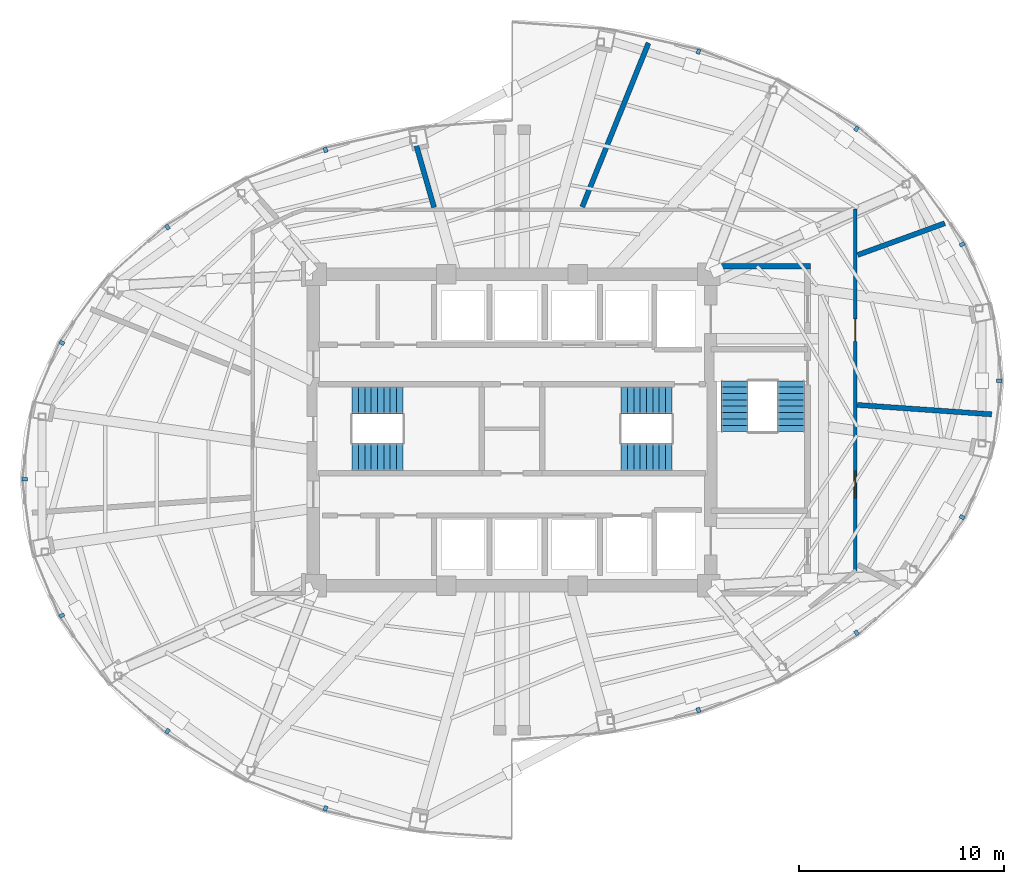
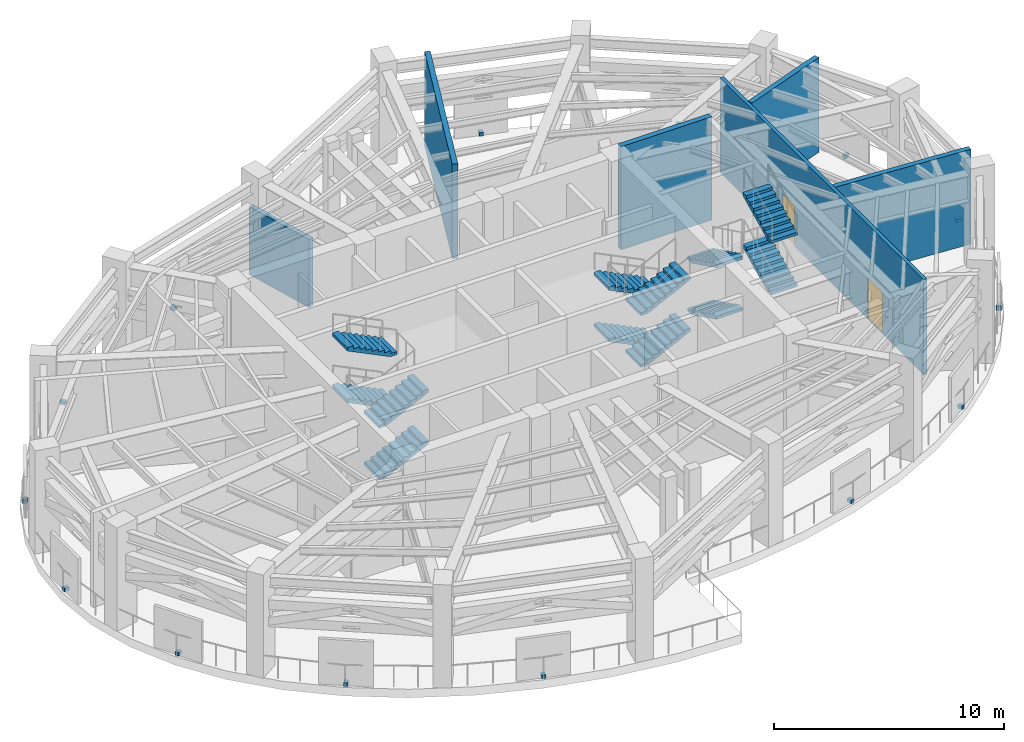
# One storey, part 9 of 12: 14 discrete accessories, 12 stair flights, 6 walls, 2 doors, 2 openings, 3 elements without a shape of their own.
"""IFC4 building model written with IfcOpenShell, lengths in metres."""

from ifc_helpers import new_model, si_unit, direction, frame, frame_2d, origin, origin_2d, place, context, subcontext, project, spatial, polyline, rectangle, outline, extrude, material, layer, layer_set, type_object, element, fill, aggregate, save


model = new_model("IFC4")

# Units and contexts
model_context = context("Model", 3, precision=1e-05, world=origin(), true_north=direction((0.0, 1.0)))
body_context = subcontext(model_context, "Body", "Model", "MODEL_VIEW")
ifc_project = project(units=[si_unit("LENGTHUNIT", "METRE"), si_unit("AREAUNIT", "SQUARE_METRE"), si_unit("VOLUMEUNIT", "CUBIC_METRE"), si_unit("PLANEANGLEUNIT", "RADIAN"), si_unit("MASSUNIT", "GRAM", prefix="KILO")], contexts=[model_context])

# Site, building, storey
site_placement = place(None, origin())
site = spatial("IfcSite", under=ifc_project, at=site_placement, CompositionType="ELEMENT")
building_placement = place(site_placement, origin())
building = spatial("IfcBuilding", under=site, at=building_placement, Name="Lazwardi Medical Tower", CompositionType="ELEMENT")
storey_placement = place(building_placement, frame((0.0, 0.0, 189.360107421875)))
storey = spatial("IfcBuildingStorey", under=building, at=storey_placement, Name="L49", CompositionType="ELEMENT", Elevation=189.360107421875)

# Wall, openings, doors
ifc_material_1 = material(Name="Fire-rated gypsum board on steel stud", Category="steel")
ifc_layer_1 = layer(ifc_material_1, 0.179931640625)
ifc_layer_set_1 = layer_set([ifc_layer_1], Name="Fire-rated gypsum board on steel stud")
wall_type_1 = type_object("IfcWallType", Name="WL-COR-180", PredefinedType="PARTITIONING", material=ifc_layer_set_1)
wall_1_placement = place(storey_placement, frame((52.75, 38.7900390625, 0.0), z_axis=(0.0, 0.0, 1.0), x_axis=(0.0, -1.0, 0.0)))
wall_1 = element("IfcWall", 1, at=wall_1_placement, inside=storey, type_object=wall_type_1, Name="L49 Corridor partition 4", PredefinedType="PARTITIONING", context=body_context, shape_type="SweptSolid", body=[
    extrude(rectangle(XDim=17.693603515625, YDim=0.179931640625, at=frame_2d((8.8466796875, 0.0))), origin(), (0.0, 0.0, 1.0), 5.02197265625),
])
opening_1_placement = place(wall_1_placement, frame((12.80029296875, 0.0, 0.0)))
opening_1 = element("IfcOpeningElement", 2, at=opening_1_placement, cuts=wall_1, Name="Opening D-L49-012", PredefinedType="OPENING", context=body_context, shape_type="SweptSolid", body=[
    extrude(rectangle(XDim=1.300048828125, YDim=2.199951171875, at=frame_2d((0.64990234375, 1.10009765625))), frame((0.0, 0.099853515625, 0.0), z_axis=(0.0, -1.0, 0.0), x_axis=(1.0, 0.0, 0.0)), (0.0, 0.0, 1.0), 0.199951171875),
])
opening_2_placement = place(wall_1_placement, frame((5.367431640625, 0.0, 0.0)))
opening_2 = element("IfcOpeningElement", 3, at=opening_2_placement, cuts=wall_1, Name="Opening D-L49-013", PredefinedType="OPENING", context=body_context, shape_type="SweptSolid", body=[
    extrude(rectangle(XDim=1.10009765625, YDim=2.14990234375, at=frame_2d((0.550048828125, 1.074951171875))), frame((0.0, 0.099853515625, 0.0), z_axis=(0.0, -1.0, 0.0), x_axis=(1.0, 0.0, 0.0)), (0.0, 0.0, 1.0), 0.199951171875),
])
ifc_material_2 = material(Name="Fire-rated steel leaf and frame", Category="steel")
door_type_1 = type_object("IfcDoorType", Name="DR-FFL-1300", OperationType="NOTDEFINED", PredefinedType="DOOR", material=ifc_material_2)
door_1_placement = place(opening_1_placement, origin())
door_1 = element("IfcDoor", 4, at=door_1_placement, inside=storey, type_object=door_type_1, Name="L49 Area of Refuge Door 02", OperationType="SINGLE_SWING_LEFT", OverallHeight=2.199951171875, OverallWidth=1.300048828125, PredefinedType="DOOR", context=body_context, shape_type="SweptSolid", body=[
    extrude(rectangle(XDim=1.300048828125, YDim=2.199951171875, at=frame_2d((0.64990234375, 1.10009765625))), frame((0.0, 0.02490234375, 0.0), z_axis=(0.0, -1.0, 0.0), x_axis=(1.0, 0.0, 0.0)), (0.0, 0.0, 1.0), 0.050048828125),
])
fill(opening_1, door_1)
door_type_2 = type_object("IfcDoorType", Name="DR-PLT-1100", OperationType="NOTDEFINED", PredefinedType="DOOR", material=ifc_material_2)
door_2_placement = place(opening_2_placement, origin())
door_2 = element("IfcDoor", 5, at=door_2_placement, inside=storey, type_object=door_type_2, Name="L49 Chiller Plant Room Door 03", OperationType="SINGLE_SWING_RIGHT", OverallHeight=2.14990234375, OverallWidth=1.10009765625, PredefinedType="DOOR", context=body_context, shape_type="SweptSolid", body=[
    extrude(rectangle(XDim=1.10009765625, YDim=2.14990234375, at=frame_2d((0.550048828125, 1.074951171875))), frame((0.0, 0.02490234375, 0.0), z_axis=(0.0, -1.0, 0.0), x_axis=(1.0, 0.0, 0.0)), (0.0, 0.0, 1.0), 0.050048828125),
])
fill(opening_2, door_2)

# Walls
ifc_material_3 = material(Name="Autoclaved aerated concrete blockwork", Category="masonry")
ifc_layer_2 = layer(ifc_material_3, 0.25)
ifc_layer_set_2 = layer_set([ifc_layer_2], Name="Autoclaved aerated concrete blockwork")
wall_type_2 = type_object("IfcWallType", Name="WL-SHAFT-250", PredefinedType="SOLIDWALL", material=ifc_layer_set_2)
wall_2_placement = place(storey_placement, frame((52.83984375, 29.222412109375, 0.0), z_axis=(0.0, 0.0, 1.0), x_axis=(0.997563878295, -0.069758932911, 0.0)))
element("IfcWall", 6, at=wall_2_placement, inside=storey, type_object=wall_type_2, Name="L49 Room partition 2", PredefinedType="SOLIDWALL", context=body_context, shape_type="SweptSolid", body=[
    extrude(rectangle(XDim=6.576171875, YDim=0.25, at=frame_2d((3.2880859375, 0.0))), origin(), (0.0, 0.0, 1.0), 5.02197265625),
])
wall_3_placement = place(storey_placement, frame((52.861328125, 36.537109375, 0.0), z_axis=(0.0, 0.0, 1.0), x_axis=(0.939690919023, 0.342024818846, 0.0)))
element("IfcWall", 7, at=wall_3_placement, inside=storey, type_object=wall_type_2, Name="L49 Room partition 3", PredefinedType="SOLIDWALL", context=body_context, shape_type="SweptSolid", body=[
    extrude(rectangle(XDim=4.52197265625, YDim=0.25, at=frame_2d((2.260986328125, 0.0))), origin(), (0.0, 0.0, 1.0), 5.02197265625),
])
wall_4_placement = place(storey_placement, frame((39.427734375, 38.8837890625, 0.0), z_axis=(0.0, 0.0, 1.0), x_axis=(0.374606335791, 0.927183958654, 0.0)))
element("IfcWall", 8, at=wall_4_placement, inside=storey, type_object=wall_type_2, Name="L49 Room partition 4", PredefinedType="SOLIDWALL", context=body_context, shape_type="SweptSolid", body=[
    extrude(rectangle(XDim=8.620361328125, YDim=0.25, at=frame_2d((4.31005859375, 0.0))), origin(), (0.0, 0.0, 1.0), 5.02197265625),
])
wall_5_placement = place(storey_placement, frame((32.197021484375, 38.86279296875, 0.0), z_axis=(0.0, 0.0, 1.0), x_axis=(-0.27565543198, 0.961256512498, 0.0)))
element("IfcWall", 9, at=wall_5_placement, inside=storey, type_object=wall_type_2, Name="L49 Room partition 5", PredefinedType="SOLIDWALL", context=body_context, shape_type="SweptSolid", body=[
    extrude(rectangle(XDim=3.623291015625, YDim=0.25, at=frame_2d((1.8115234375, 0.0))), origin(), (0.0, 0.0, 1.0), 3.60693359375),
])
ifc_material_4 = material(Name="Concrete C50/60", Category="concrete")
ifc_layer_3 = layer(ifc_material_4, 0.27001953125)
ifc_layer_set_3 = layer_set([ifc_layer_3], Name="Concrete C50/60")
wall_type_3 = type_object("IfcWallType", Name="WL-STR-250", PredefinedType="SHEAR", material=ifc_layer_set_3)
wall_6_placement = place(storey_placement, frame((46.0, 35.97998046875, 0.0), z_axis=(0.0, 0.0, 1.0), x_axis=(1.0, 0.0, 0.0)))
element("IfcWall", 10, at=wall_6_placement, inside=storey, type_object=wall_type_3, Name="L49 FFL-N North shear wall SW-S1", PredefinedType="SHEAR", context=body_context, shape_type="SweptSolid", body=[
    extrude(rectangle(XDim=4.550048828125, YDim=0.27001953125, at=frame_2d((2.27490234375, 0.0))), origin(), (0.0, 0.0, 1.0), 5.471923828125),
])

# Stair, stair flights
ifc_material_5 = material(Name="Concrete C45/55", Category="concrete")
stair_type = type_object("IfcStairType", Name="STR-REF", PredefinedType="HALF_TURN_STAIR", material=ifc_material_5)
stair_1_placement = place(storey_placement, origin())
stair_1 = element("IfcStair", 11, at=stair_1_placement, inside=storey, type_object=stair_type, Name="L49 Protected Exit Stair ST1", PredefinedType="HALF_TURN_STAIR")
stair_flight_type = type_object("IfcStairFlightType", Name="FLT-REF", PredefinedType="STRAIGHT", material=ifc_material_5)
stair_flight_1_placement = place(storey_placement, frame((28.199951171875, 26.679931640625, 0.0), z_axis=(0.0, 0.0, 1.0), x_axis=(1.0, 0.0, 0.0)))
stair_flight_1 = element("IfcStairFlight", 12, at=stair_flight_1_placement, type_object=stair_flight_type, Name="ST1 flight 1", NumberOfRisers=9, NumberOfTreads=8, PredefinedType="STRAIGHT", RiserHeight=0.152, TreadLength=0.31, context=body_context, shape_type="SweptSolid", body=[
    extrude(outline(polyline([(0.0, 0.0), (0.0, 0.152099609375), (0.31005859375, 0.152099609375), (0.31005859375, 0.303955078125), (0.6201171875, 0.303955078125), (0.6201171875, 0.4560546875), (0.929931640625, 0.4560546875), (0.929931640625, 0.60791015625), (1.239990234375, 0.60791015625), (1.239990234375, 0.760009765625), (1.550048828125, 0.760009765625), (1.550048828125, 0.912109375), (1.860107421875, 0.912109375), (1.860107421875, 1.06396484375), (2.169921875, 1.06396484375), (2.169921875, 1.216064453125), (2.47998046875, 1.216064453125), (2.47998046875, 1.367919921875), (2.47998046875, 1.049072265625), (0.340576171875, 0.0), (0.0, 0.0)])), frame((0.0, 0.66015625, 0.0), z_axis=(0.0, -1.0, 0.0), x_axis=(1.0, 0.0, 0.0)), (0.0, 0.0, 1.0), 1.320068359375),
])
stair_flight_2_placement = place(storey_placement, frame((30.679931640625, 29.43994140625, 1.367919921875), z_axis=(0.0, 0.0, 1.0), x_axis=(-1.0, 0.0, 0.0)))
stair_flight_2 = element("IfcStairFlight", 13, at=stair_flight_2_placement, type_object=stair_flight_type, Name="ST1 flight 2", NumberOfRisers=9, NumberOfTreads=8, PredefinedType="STRAIGHT", RiserHeight=0.152, TreadLength=0.31, context=body_context, shape_type="SweptSolid", body=[
    extrude(outline(polyline([(0.0, 0.0), (0.0, 0.152099609375), (0.31005859375, 0.152099609375), (0.31005859375, 0.303955078125), (0.6201171875, 0.303955078125), (0.6201171875, 0.4560546875), (0.929931640625, 0.4560546875), (0.929931640625, 0.60791015625), (1.239990234375, 0.60791015625), (1.239990234375, 0.760009765625), (1.550048828125, 0.760009765625), (1.550048828125, 0.912109375), (1.860107421875, 0.912109375), (1.860107421875, 1.06396484375), (2.169921875, 1.06396484375), (2.169921875, 1.216064453125), (2.47998046875, 1.216064453125), (2.47998046875, 1.367919921875), (2.47998046875, 1.049072265625), (0.340576171875, 0.0), (0.0, 0.0)])), frame((0.0, 0.66015625, 0.0), z_axis=(0.0, -1.0, 0.0), x_axis=(1.0, 0.0, 0.0)), (0.0, 0.0, 1.0), 1.320068359375),
])
stair_flight_3_placement = place(storey_placement, frame((28.199951171875, 26.679931640625, 2.73583984375), z_axis=(0.0, 0.0, 1.0), x_axis=(1.0, 0.0, 0.0)))
stair_flight_3 = element("IfcStairFlight", 14, at=stair_flight_3_placement, type_object=stair_flight_type, Name="ST1 flight 3", NumberOfRisers=9, NumberOfTreads=8, PredefinedType="STRAIGHT", RiserHeight=0.152, TreadLength=0.31, context=body_context, shape_type="SweptSolid", body=[
    extrude(outline(polyline([(0.0, 0.0), (0.0, 0.152099609375), (0.31005859375, 0.152099609375), (0.31005859375, 0.303955078125), (0.6201171875, 0.303955078125), (0.6201171875, 0.4560546875), (0.929931640625, 0.4560546875), (0.929931640625, 0.60791015625), (1.239990234375, 0.60791015625), (1.239990234375, 0.760009765625), (1.550048828125, 0.760009765625), (1.550048828125, 0.912109375), (1.860107421875, 0.912109375), (1.860107421875, 1.06396484375), (2.169921875, 1.06396484375), (2.169921875, 1.216064453125), (2.47998046875, 1.216064453125), (2.47998046875, 1.367919921875), (2.47998046875, 1.049072265625), (0.340576171875, 0.0), (0.0, 0.0)])), frame((0.0, 0.66015625, 0.0), z_axis=(0.0, -1.0, 0.0), x_axis=(1.0, 0.0, 0.0)), (0.0, 0.0, 1.0), 1.320068359375),
])
stair_flight_4_placement = place(storey_placement, frame((30.679931640625, 29.43994140625, 4.10400390625), z_axis=(0.0, 0.0, 1.0), x_axis=(-1.0, 0.0, 0.0)))
stair_flight_4 = element("IfcStairFlight", 15, at=stair_flight_4_placement, type_object=stair_flight_type, Name="ST1 flight 4", NumberOfRisers=9, NumberOfTreads=8, PredefinedType="STRAIGHT", RiserHeight=0.152, TreadLength=0.31, context=body_context, shape_type="SweptSolid", body=[
    extrude(outline(polyline([(0.0, 0.0), (0.0, 0.152099609375), (0.31005859375, 0.152099609375), (0.31005859375, 0.303955078125), (0.6201171875, 0.303955078125), (0.6201171875, 0.4560546875), (0.929931640625, 0.4560546875), (0.929931640625, 0.60791015625), (1.239990234375, 0.60791015625), (1.239990234375, 0.760009765625), (1.550048828125, 0.760009765625), (1.550048828125, 0.912109375), (1.860107421875, 0.912109375), (1.860107421875, 1.06396484375), (2.169921875, 1.06396484375), (2.169921875, 1.216064453125), (2.47998046875, 1.216064453125), (2.47998046875, 1.367919921875), (2.47998046875, 1.049072265625), (0.340576171875, 0.0), (0.0, 0.0)])), frame((0.0, 0.66015625, 0.0), z_axis=(0.0, -1.0, 0.0), x_axis=(1.0, 0.0, 0.0)), (0.0, 0.0, 1.0), 1.320068359375),
])
aggregate(stair_1, [stair_flight_1, stair_flight_2, stair_flight_3, stair_flight_4])

stair_2_placement = place(storey_placement, origin())
stair_2 = element("IfcStair", 16, at=stair_2_placement, inside=storey, type_object=stair_type, Name="L49 Protected Exit Stair ST2", PredefinedType="HALF_TURN_STAIR")
stair_flight_5_placement = place(storey_placement, frame((43.800048828125, 29.43994140625, 0.0), z_axis=(0.0, 0.0, 1.0), x_axis=(-1.0, 0.0, 0.0)))
stair_flight_5 = element("IfcStairFlight", 17, at=stair_flight_5_placement, type_object=stair_flight_type, Name="ST2 flight 1", NumberOfRisers=9, NumberOfTreads=8, PredefinedType="STRAIGHT", RiserHeight=0.152, TreadLength=0.31, context=body_context, shape_type="SweptSolid", body=[
    extrude(outline(polyline([(0.0, 0.0), (0.0, 0.152099609375), (0.31005859375, 0.152099609375), (0.31005859375, 0.303955078125), (0.6201171875, 0.303955078125), (0.6201171875, 0.4560546875), (0.929931640625, 0.4560546875), (0.929931640625, 0.60791015625), (1.239990234375, 0.60791015625), (1.239990234375, 0.760009765625), (1.550048828125, 0.760009765625), (1.550048828125, 0.912109375), (1.860107421875, 0.912109375), (1.860107421875, 1.06396484375), (2.169921875, 1.06396484375), (2.169921875, 1.216064453125), (2.47998046875, 1.216064453125), (2.47998046875, 1.367919921875), (2.47998046875, 1.049072265625), (0.340576171875, 0.0), (0.0, 0.0)])), frame((0.0, 0.66015625, 0.0), z_axis=(0.0, -1.0, 0.0), x_axis=(1.0, 0.0, 0.0)), (0.0, 0.0, 1.0), 1.320068359375),
])
stair_flight_6_placement = place(storey_placement, frame((41.320068359375, 26.679931640625, 1.367919921875), z_axis=(0.0, 0.0, 1.0), x_axis=(1.0, 0.0, 0.0)))
stair_flight_6 = element("IfcStairFlight", 18, at=stair_flight_6_placement, type_object=stair_flight_type, Name="ST2 flight 2", NumberOfRisers=9, NumberOfTreads=8, PredefinedType="STRAIGHT", RiserHeight=0.152, TreadLength=0.31, context=body_context, shape_type="SweptSolid", body=[
    extrude(outline(polyline([(0.0, 0.0), (0.0, 0.152099609375), (0.31005859375, 0.152099609375), (0.31005859375, 0.303955078125), (0.6201171875, 0.303955078125), (0.6201171875, 0.4560546875), (0.929931640625, 0.4560546875), (0.929931640625, 0.60791015625), (1.239990234375, 0.60791015625), (1.239990234375, 0.760009765625), (1.550048828125, 0.760009765625), (1.550048828125, 0.912109375), (1.860107421875, 0.912109375), (1.860107421875, 1.06396484375), (2.169921875, 1.06396484375), (2.169921875, 1.216064453125), (2.47998046875, 1.216064453125), (2.47998046875, 1.367919921875), (2.47998046875, 1.049072265625), (0.340576171875, 0.0), (0.0, 0.0)])), frame((0.0, 0.66015625, 0.0), z_axis=(0.0, -1.0, 0.0), x_axis=(1.0, 0.0, 0.0)), (0.0, 0.0, 1.0), 1.320068359375),
])
stair_flight_7_placement = place(storey_placement, frame((43.800048828125, 29.43994140625, 2.73583984375), z_axis=(0.0, 0.0, 1.0), x_axis=(-1.0, 0.0, 0.0)))
stair_flight_7 = element("IfcStairFlight", 19, at=stair_flight_7_placement, type_object=stair_flight_type, Name="ST2 flight 3", NumberOfRisers=9, NumberOfTreads=8, PredefinedType="STRAIGHT", RiserHeight=0.152, TreadLength=0.31, context=body_context, shape_type="SweptSolid", body=[
    extrude(outline(polyline([(0.0, 0.0), (0.0, 0.152099609375), (0.31005859375, 0.152099609375), (0.31005859375, 0.303955078125), (0.6201171875, 0.303955078125), (0.6201171875, 0.4560546875), (0.929931640625, 0.4560546875), (0.929931640625, 0.60791015625), (1.239990234375, 0.60791015625), (1.239990234375, 0.760009765625), (1.550048828125, 0.760009765625), (1.550048828125, 0.912109375), (1.860107421875, 0.912109375), (1.860107421875, 1.06396484375), (2.169921875, 1.06396484375), (2.169921875, 1.216064453125), (2.47998046875, 1.216064453125), (2.47998046875, 1.367919921875), (2.47998046875, 1.049072265625), (0.340576171875, 0.0), (0.0, 0.0)])), frame((0.0, 0.66015625, 0.0), z_axis=(0.0, -1.0, 0.0), x_axis=(1.0, 0.0, 0.0)), (0.0, 0.0, 1.0), 1.320068359375),
])
stair_flight_8_placement = place(storey_placement, frame((41.320068359375, 26.679931640625, 4.10400390625), z_axis=(0.0, 0.0, 1.0), x_axis=(1.0, 0.0, 0.0)))
stair_flight_8 = element("IfcStairFlight", 20, at=stair_flight_8_placement, type_object=stair_flight_type, Name="ST2 flight 4", NumberOfRisers=9, NumberOfTreads=8, PredefinedType="STRAIGHT", RiserHeight=0.152, TreadLength=0.31, context=body_context, shape_type="SweptSolid", body=[
    extrude(outline(polyline([(0.0, 0.0), (0.0, 0.152099609375), (0.31005859375, 0.152099609375), (0.31005859375, 0.303955078125), (0.6201171875, 0.303955078125), (0.6201171875, 0.4560546875), (0.929931640625, 0.4560546875), (0.929931640625, 0.60791015625), (1.239990234375, 0.60791015625), (1.239990234375, 0.760009765625), (1.550048828125, 0.760009765625), (1.550048828125, 0.912109375), (1.860107421875, 0.912109375), (1.860107421875, 1.06396484375), (2.169921875, 1.06396484375), (2.169921875, 1.216064453125), (2.47998046875, 1.216064453125), (2.47998046875, 1.367919921875), (2.47998046875, 1.049072265625), (0.340576171875, 0.0), (0.0, 0.0)])), frame((0.0, 0.66015625, 0.0), z_axis=(0.0, -1.0, 0.0), x_axis=(1.0, 0.0, 0.0)), (0.0, 0.0, 1.0), 1.320068359375),
])
aggregate(stair_2, [stair_flight_5, stair_flight_6, stair_flight_7, stair_flight_8])

stair_3_placement = place(storey_placement, origin())
stair_3 = element("IfcStair", 21, at=stair_3_placement, inside=storey, type_object=stair_type, Name="L49 Protected Exit Stair ST3", PredefinedType="HALF_TURN_STAIR")
stair_flight_9_placement = place(storey_placement, frame((46.860107421875, 30.39990234375, 0.0), z_axis=(0.0, 0.0, 1.0), x_axis=(0.0, -1.0, 0.0)))
stair_flight_9 = element("IfcStairFlight", 22, at=stair_flight_9_placement, type_object=stair_flight_type, Name="ST3 flight 1", NumberOfRisers=9, NumberOfTreads=8, PredefinedType="STRAIGHT", RiserHeight=0.152, TreadLength=0.31, context=body_context, shape_type="SweptSolid", body=[
    extrude(outline(polyline([(0.0, 0.0), (0.0, 0.152099609375), (0.31005859375, 0.152099609375), (0.31005859375, 0.303955078125), (0.6201171875, 0.303955078125), (0.6201171875, 0.4560546875), (0.929931640625, 0.4560546875), (0.929931640625, 0.60791015625), (1.239990234375, 0.60791015625), (1.239990234375, 0.760009765625), (1.550048828125, 0.760009765625), (1.550048828125, 0.912109375), (1.860107421875, 0.912109375), (1.860107421875, 1.06396484375), (2.169921875, 1.06396484375), (2.169921875, 1.216064453125), (2.47998046875, 1.216064453125), (2.47998046875, 1.367919921875), (2.47998046875, 1.049072265625), (0.340576171875, 0.0), (0.0, 0.0)])), frame((0.0, 0.66015625, 0.0), z_axis=(0.0, -1.0, 0.0), x_axis=(1.0, 0.0, 0.0)), (0.0, 0.0, 1.0), 1.320068359375),
])
stair_flight_10_placement = place(storey_placement, frame((49.6201171875, 27.919921875, 1.367919921875), z_axis=(0.0, 0.0, 1.0), x_axis=(0.0, 1.0, 0.0)))
stair_flight_10 = element("IfcStairFlight", 23, at=stair_flight_10_placement, type_object=stair_flight_type, Name="ST3 flight 2", NumberOfRisers=9, NumberOfTreads=8, PredefinedType="STRAIGHT", RiserHeight=0.152, TreadLength=0.31, context=body_context, shape_type="SweptSolid", body=[
    extrude(outline(polyline([(0.0, 0.0), (0.0, 0.152099609375), (0.31005859375, 0.152099609375), (0.31005859375, 0.303955078125), (0.6201171875, 0.303955078125), (0.6201171875, 0.4560546875), (0.929931640625, 0.4560546875), (0.929931640625, 0.60791015625), (1.239990234375, 0.60791015625), (1.239990234375, 0.760009765625), (1.550048828125, 0.760009765625), (1.550048828125, 0.912109375), (1.860107421875, 0.912109375), (1.860107421875, 1.06396484375), (2.169921875, 1.06396484375), (2.169921875, 1.216064453125), (2.47998046875, 1.216064453125), (2.47998046875, 1.367919921875), (2.47998046875, 1.049072265625), (0.340576171875, 0.0), (0.0, 0.0)])), frame((0.0, 0.66015625, 0.0), z_axis=(0.0, -1.0, 0.0), x_axis=(1.0, 0.0, 0.0)), (0.0, 0.0, 1.0), 1.320068359375),
])
stair_flight_11_placement = place(storey_placement, frame((46.860107421875, 30.39990234375, 2.73583984375), z_axis=(0.0, 0.0, 1.0), x_axis=(0.0, -1.0, 0.0)))
stair_flight_11 = element("IfcStairFlight", 24, at=stair_flight_11_placement, type_object=stair_flight_type, Name="ST3 flight 3", NumberOfRisers=9, NumberOfTreads=8, PredefinedType="STRAIGHT", RiserHeight=0.152, TreadLength=0.31, context=body_context, shape_type="SweptSolid", body=[
    extrude(outline(polyline([(0.0, 0.0), (0.0, 0.152099609375), (0.31005859375, 0.152099609375), (0.31005859375, 0.303955078125), (0.6201171875, 0.303955078125), (0.6201171875, 0.4560546875), (0.929931640625, 0.4560546875), (0.929931640625, 0.60791015625), (1.239990234375, 0.60791015625), (1.239990234375, 0.760009765625), (1.550048828125, 0.760009765625), (1.550048828125, 0.912109375), (1.860107421875, 0.912109375), (1.860107421875, 1.06396484375), (2.169921875, 1.06396484375), (2.169921875, 1.216064453125), (2.47998046875, 1.216064453125), (2.47998046875, 1.367919921875), (2.47998046875, 1.049072265625), (0.340576171875, 0.0), (0.0, 0.0)])), frame((0.0, 0.66015625, 0.0), z_axis=(0.0, -1.0, 0.0), x_axis=(1.0, 0.0, 0.0)), (0.0, 0.0, 1.0), 1.320068359375),
])
stair_flight_12_placement = place(storey_placement, frame((49.6201171875, 27.919921875, 4.10400390625), z_axis=(0.0, 0.0, 1.0), x_axis=(0.0, 1.0, 0.0)))
stair_flight_12 = element("IfcStairFlight", 25, at=stair_flight_12_placement, type_object=stair_flight_type, Name="ST3 flight 4", NumberOfRisers=9, NumberOfTreads=8, PredefinedType="STRAIGHT", RiserHeight=0.152, TreadLength=0.31, context=body_context, shape_type="SweptSolid", body=[
    extrude(outline(polyline([(0.0, 0.0), (0.0, 0.152099609375), (0.31005859375, 0.152099609375), (0.31005859375, 0.303955078125), (0.6201171875, 0.303955078125), (0.6201171875, 0.4560546875), (0.929931640625, 0.4560546875), (0.929931640625, 0.60791015625), (1.239990234375, 0.60791015625), (1.239990234375, 0.760009765625), (1.550048828125, 0.760009765625), (1.550048828125, 0.912109375), (1.860107421875, 0.912109375), (1.860107421875, 1.06396484375), (2.169921875, 1.06396484375), (2.169921875, 1.216064453125), (2.47998046875, 1.216064453125), (2.47998046875, 1.367919921875), (2.47998046875, 1.049072265625), (0.340576171875, 0.0), (0.0, 0.0)])), frame((0.0, 0.66015625, 0.0), z_axis=(0.0, -1.0, 0.0), x_axis=(1.0, 0.0, 0.0)), (0.0, 0.0, 1.0), 1.320068359375),
])
aggregate(stair_3, [stair_flight_9, stair_flight_10, stair_flight_11, stair_flight_12])

# Discrete accessories
ifc_material_6 = material(Name="Steel S355", Category="steel")
discrete_accessory_type = type_object("IfcDiscreteAccessoryType", Name="ACC-BRK-01", PredefinedType="BRACKET", material=ifc_material_6)
for number, where, z_axis, x_axis, name in (
    (26, (45.09521484375, 14.337158203125, 0.0), (0.0, 0.0, 1.0), (0.957032496358, 0.28998069059, 0.0), "L49 Facade Screen Bracket 01"),
    (27, (52.805419921875, 18.10595703125, 0.0), (0.0, 0.0, 1.0), (0.807100478393, 0.590414107028, 0.0), "L49 Facade Screen Bracket 02"),
    (28, (57.95751953125, 23.74658203125, 0.0), (0.0, 0.0, 1.0), (0.49272582279, 0.87018461464, 0.0), "L49 Facade Screen Bracket 03"),
    (29, (59.7666015625, 30.39990234375, 0.0), (0.0, 0.0, 1.0), (0.0, 1.0, 0.0), "L49 Facade Screen Bracket 04"),
    (30, (57.95751953125, 37.053466796875, 0.0), (0.0, 0.0, 1.0), (-0.49272582279, 0.87018461464, 0.0), "L49 Facade Screen Bracket 05"),
    (31, (52.805419921875, 42.694091796875, 0.0), (0.0, 0.0, 1.0), (-0.807100478393, 0.590414107028, 0.0), "L49 Facade Screen Bracket 06"),
    (32, (45.09521484375, 46.462890625, 0.0), (0.0, 0.0, 1.0), (-0.957032496358, 0.28998069059, 0.0), "L49 Facade Screen Bracket 07"),
    (33, (26.90478515625, 41.662841796875, 0.0), (0.0, 0.0, 1.0), (-0.957032496358, -0.28998069059, 0.0), "L49 Facade Screen Bracket 09"),
    (34, (19.194580078125, 37.89404296875, 0.0), (0.0, 0.0, 1.0), (-0.807100478393, -0.590414107028, 0.0), "L49 Facade Screen Bracket 10"),
    (35, (14.04248046875, 32.25341796875, 0.0), (0.0, 0.0, 1.0), (-0.49272582279, -0.87018461464, 0.0), "L49 Facade Screen Bracket 11"),
    (36, (12.2333984375, 25.60009765625, 0.0), (0.0, 0.0, 1.0), (0.0, -1.0, 0.0), "L49 Facade Screen Bracket 12"),
    (37, (14.04248046875, 18.946533203125, 0.0), (0.0, 0.0, 1.0), (0.49272582279, -0.87018461464, 0.0), "L49 Facade Screen Bracket 13"),
    (38, (19.194580078125, 13.305908203125, 0.0), (0.0, 0.0, 1.0), (0.807100478393, -0.590414107028, 0.0), "L49 Facade Screen Bracket 14"),
    (39, (26.90478515625, 9.537109375, 0.0), (0.0, 0.0, 1.0), (0.957032496358, -0.28998069059, 0.0), "L49 Facade Screen Bracket 15"),
):
    element("IfcDiscreteAccessory", number, at=place(storey_placement, frame(where, z_axis=z_axis, x_axis=x_axis)), inside=storey, type_object=discrete_accessory_type, Name=name, PredefinedType="BRACKET", context=body_context, shape_type="SweptSolid", body=[
        extrude(rectangle(XDim=0.179931640625, YDim=0.25, at=origin_2d()), origin(), (0.0, 0.0, 1.0), 0.179931640625),
    ])

save(model, "model.ifc")
